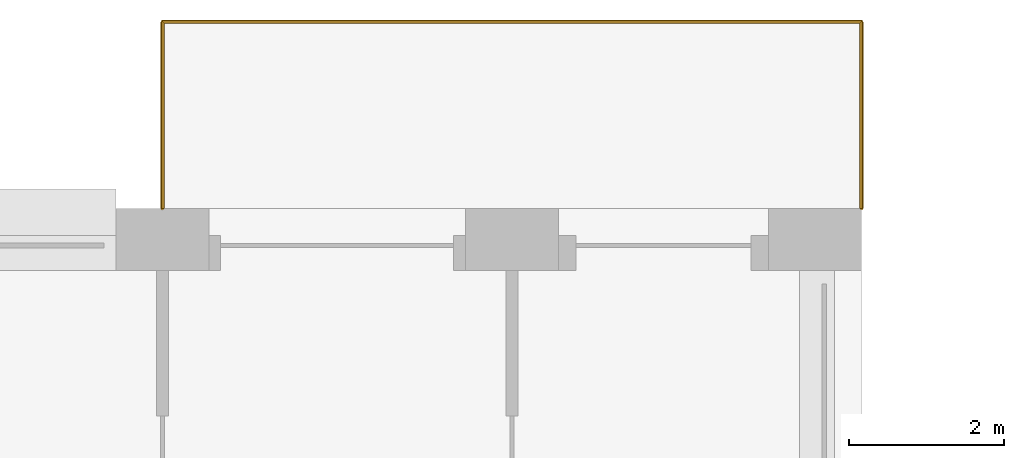
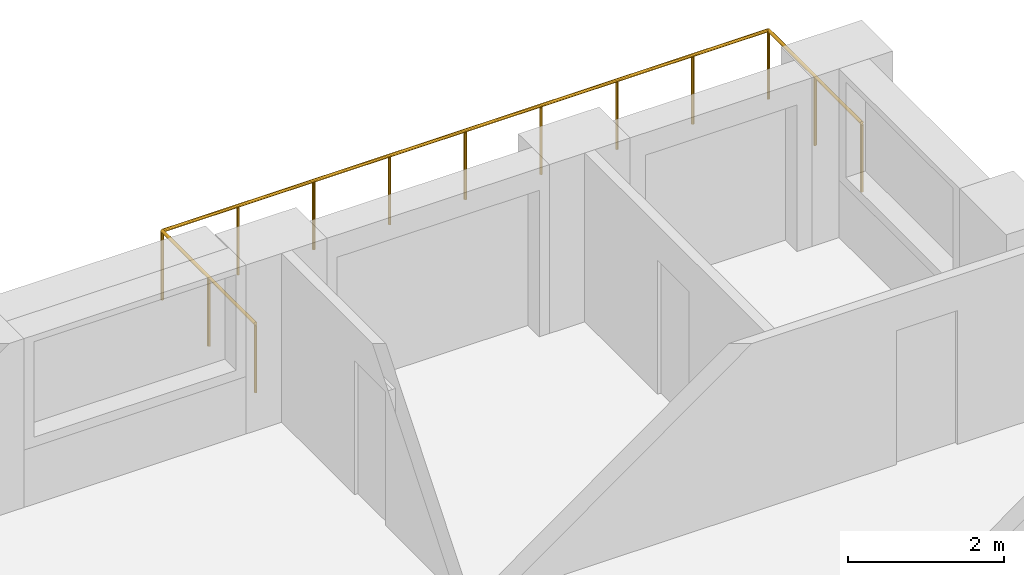
# One storey, part 20 of 20: 1 railing.
"""IFC4 building model written with IfcOpenShell, lengths in metres."""

import ifcopenshell
import ifcopenshell.guid

model = None  # the IFC model being written
_history = None  # IfcOwnerHistory: only IFC2X3 demands one
_inside = {}  # id of a spatial element -> (the spatial element, [elements in it])
_under = {}  # id of a project, library or spatial element -> (it, [spatial elements below it])
_declared = {}  # id of a project -> (the project, [libraries it declares])
_typed = {}  # id of a type object -> (the type object, [elements of that type])
_made_of = {}  # id of a material, layer set ... -> (it, [elements and type objects made of it])


def new_model(schema):
    """Start an empty IFC model of exactly this schema.

    Asked for "IFC4X3", IfcOpenShell would pick the latest addendum, in which some entities
    have other attributes; the version numbers below select the first issue.
    IFC2X3 requires an IfcOwnerHistory on every rooted entity: one is made here for all.
    """
    global model, _history
    if schema == "IFC4X3":
        model = ifcopenshell.file(schema_version=(4, 3, 0, 0))
    else:
        model = ifcopenshell.file(schema=schema)
    _inside.clear()
    _under.clear()
    _declared.clear()
    _typed.clear()
    _made_of.clear()
    _history = None
    if model.schema == "IFC2X3":
        org = make("IfcOrganization", Name="unknown")
        user = make(
            "IfcPersonAndOrganization",
            ThePerson=make("IfcPerson", FamilyName="unknown"),
            TheOrganization=org,
        )
        app = make(
            "IfcApplication",
            ApplicationDeveloper=org,
            Version="unknown",
            ApplicationFullName="unknown",
            ApplicationIdentifier="unknown",
        )
        _history = make(
            "IfcOwnerHistory",
            OwningUser=user,
            OwningApplication=app,
            ChangeAction="ADDED",
            CreationDate=0,
        )
    return model


def make(cls, **values):
    """One entity of the class cls with the attributes given. An attribute that is None is left unset."""
    return model.create_entity(
        cls, **{name: value for name, value in values.items() if value is not None}
    )


def rooted(cls, **values):
    """An entity with a GlobalId (a new one), such as an element, a storey or a relation."""
    return make(cls, GlobalId=ifcopenshell.guid.new(), OwnerHistory=_history, **values)


def si_unit(unit_type, name, prefix=None):
    """IfcSIUnit, for example si_unit("LENGTHUNIT", "METRE", prefix="MILLI")."""
    return make("IfcSIUnit", UnitType=unit_type, Prefix=prefix, Name=name)


def assignment(units):
    """IfcUnitAssignment: the units of a project."""
    return None if units is None else make("IfcUnitAssignment", Units=units)


def point(xyz):
    """IfcCartesianPoint."""
    return None if xyz is None else make("IfcCartesianPoint", Coordinates=xyz)


def direction(xyz):
    """IfcDirection."""
    return None if xyz is None else make("IfcDirection", DirectionRatios=xyz)


def frame(location, z_axis=None, x_axis=None):
    """IfcAxis2Placement3D, a coordinate frame: its origin and axes. An axis left out is left unset."""
    return make(
        "IfcAxis2Placement3D",
        Location=point(location),
        Axis=direction(z_axis),
        RefDirection=direction(x_axis),
    )


def frame_2d(location, x_axis=None):
    """IfcAxis2Placement2D, a coordinate frame in the plane: its origin and x axis."""
    return make(
        "IfcAxis2Placement2D", Location=point(location), RefDirection=direction(x_axis)
    )


def origin():
    """The frame at (0, 0, 0) with its axes left unset."""
    return frame((0.0, 0.0, 0.0))


def origin_2d():
    """The frame at (0, 0) in the plane with its x axis left unset."""
    return frame_2d((0.0, 0.0))


def place(relative_to, where):
    """IfcLocalPlacement: puts the frame where relative to a parent placement (None: the world)."""
    return make(
        "IfcLocalPlacement", PlacementRelTo=relative_to, RelativePlacement=where
    )


def context(
    kind, dimensions, precision=None, world=None, true_north=None, identifier=None
):
    """IfcGeometricRepresentationContext, for example the 3D "Model" context."""
    return make(
        "IfcGeometricRepresentationContext",
        ContextIdentifier=identifier,
        ContextType=kind,
        CoordinateSpaceDimension=dimensions,
        Precision=precision,
        WorldCoordinateSystem=world,
        TrueNorth=true_north,
    )


def subcontext(parent, identifier, kind, view, scale=None):
    """IfcGeometricRepresentationSubContext, for example "Body" below "Model"."""
    return make(
        "IfcGeometricRepresentationSubContext",
        ContextIdentifier=identifier,
        ContextType=kind,
        ParentContext=parent,
        TargetScale=scale,
        TargetView=view,
    )


def project(units=None, contexts=None):
    """IfcProject with its units and contexts."""
    return rooted(
        "IfcProject",
        Name="project",
        RepresentationContexts=contexts,
        UnitsInContext=assignment(units),
    )


def spatial(cls, under=None, at=None, **own):
    """A site, building, storey or space (cls), placed at a placement, below another one or the project."""
    s = rooted(cls, ObjectPlacement=at, **own)
    if under is not None:
        _under.setdefault(under.id(), (under, []))[1].append(s)
    return s


def profile(cls, at=None, kind="AREA", **sizes):
    """A parametric profile (cls). Its sizes go by their IFC names, for example OverallWidth=200.0."""
    return make(cls, ProfileType=kind, Position=at, **sizes)


def circle(**sizes):
    """IfcCircleProfileDef."""
    return profile("IfcCircleProfileDef", **sizes)


def extrude(swept, where, along, depth):
    """IfcExtrudedAreaSolid: the profile swept, set in the frame where, extruded along a direction by depth."""
    return make(
        "IfcExtrudedAreaSolid",
        SweptArea=swept,
        Position=where,
        ExtrudedDirection=direction(along),
        Depth=depth,
    )


def shape(context_of_items, identifier, shape_type, items):
    """IfcShapeRepresentation: the items that make up one representation, for example the "Body"."""
    return make(
        "IfcShapeRepresentation",
        ContextOfItems=context_of_items,
        RepresentationIdentifier=identifier,
        RepresentationType=shape_type,
        Items=items,
    )


def material(Name=None, Category=None):
    """IfcMaterial."""
    return make("IfcMaterial", Name=Name, Category=Category)


def made_of(thing, what):
    """Note that an element or type object is made of a material, layer set ...; save() writes the relation."""
    if what is not None:
        _made_of.setdefault(what.id(), (what, []))[1].append(thing)
    return thing


def type_object(cls, material=None, **own):
    """A type object (cls), such as IfcWallType, which elements share."""
    return made_of(rooted(cls, **own), material)


def element(
    cls,
    number,
    at=None,
    inside=None,
    cuts=None,
    type_object=None,
    material=None,
    context=None,
    identifier="Body",
    shape_type=None,
    held_by="IfcProductDefinitionShape",
    body=None,
    shapes=None,
    **own,
):
    """One element of the class cls, such as IfcWall. Its Tag is "e" and its number.

    at: its placement. inside: the storey or other place that contains it. cuts: it is an
    opening in that element (IfcRelVoidsElement). A single representation is given by context,
    identifier, shape_type and body (its items); several are given by shapes. held_by: the class
    of the entity that holds the representations. save() writes the other relations.
    """
    e = rooted(cls, Tag="e%d" % number, ObjectPlacement=at, **own)
    if body is not None:
        shapes = [shape(context, identifier, shape_type, body)]
    if shapes is not None:
        e.Representation = make(held_by, Representations=shapes)
    if inside is not None:
        _inside.setdefault(inside.id(), (inside, []))[1].append(e)
    if cuts is not None:
        rooted(
            "IfcRelVoidsElement", RelatingBuildingElement=cuts, RelatedOpeningElement=e
        )
    if type_object is not None:
        _typed.setdefault(type_object.id(), (type_object, []))[1].append(e)
    return made_of(e, material)


def aggregate(whole, parts):
    """IfcRelAggregates: a whole, such as a stair, and the parts it consists of."""
    return rooted("IfcRelAggregates", RelatingObject=whole, RelatedObjects=parts)


def save(model, path):
    """Write the relations noted so far, then the file.

    IfcRelAggregates (storeys below a building ...), IfcRelContainedInSpatialStructure (elements
    in a storey), IfcRelDefinesByType, IfcRelAssociatesMaterial and IfcRelDeclares: one each for
    every whole, place, type object, material and project.
    """
    for whole, parts in _under.values():
        aggregate(whole, parts)
    for where, things in _inside.values():
        rooted(
            "IfcRelContainedInSpatialStructure",
            RelatedElements=things,
            RelatingStructure=where,
        )
    for kind, things in _typed.values():
        rooted("IfcRelDefinesByType", RelatedObjects=things, RelatingType=kind)
    for what, things in _made_of.values():
        rooted("IfcRelAssociatesMaterial", RelatedObjects=things, RelatingMaterial=what)
    for by, libraries in _declared.values():
        rooted("IfcRelDeclares", RelatingContext=by, RelatedDefinitions=libraries)
    model.write(path)


model = new_model("IFC4")

# Units and contexts
model_context = context("Model", 3, precision=1e-05, world=origin(), true_north=direction((0.0, 1.0)))
body_context = subcontext(model_context, "Body", "Model", "MODEL_VIEW")
ifc_project = project(units=[si_unit("LENGTHUNIT", "METRE"), si_unit("AREAUNIT", "SQUARE_METRE"), si_unit("VOLUMEUNIT", "CUBIC_METRE"), si_unit("PLANEANGLEUNIT", "RADIAN"), si_unit("MASSUNIT", "GRAM", prefix="KILO")], contexts=[model_context])

# Site, building, storey
site_placement = place(None, origin())
site = spatial("IfcSite", under=ifc_project, at=site_placement, CompositionType="ELEMENT")
building_placement = place(site_placement, origin())
building = spatial("IfcBuilding", under=site, at=building_placement, Name="Brigalow Station Residences", CompositionType="ELEMENT")
storey_placement = place(building_placement, frame((0.0, 0.0, 69.89990234375)))
storey = spatial("IfcBuildingStorey", under=building, at=storey_placement, Name="L20", CompositionType="ELEMENT", Elevation=69.89990234375)

# Railing
ifc_material = material(Name="Stainless steel balustrade with laminated glass infill", Category="steel")
railing_type = type_object("IfcRailingType", Name="BALCONY GUARD 1100", PredefinedType="GUARDRAIL", material=ifc_material)
railing_placement = place(storey_placement, frame((72.0, 48.5, -0.039794921875)))
element("IfcRailing", 1, at=railing_placement, inside=storey, type_object=railing_type, Name="L20/balcony-guard/2", PredefinedType="GUARDRAIL", context=body_context, shape_type="SweptSolid", body=[
    extrude(circle(Radius=0.02392578125, at=origin_2d()), frame((0.0, 0.0, 1.076171875), z_axis=(0.0, 1.0, 0.0), x_axis=(-1.0, 0.0, 0.0)), (0.0, 0.0, 1.0), 2.39990234375),
    extrude(circle(Radius=0.02392578125, at=origin_2d()), frame((0.0, 2.39990234375, 1.076171875), z_axis=(-1.0, 0.0, 0.0), x_axis=(0.0, -1.0, 0.0)), (0.0, 0.0, 1.0), 9.0),
    extrude(circle(Radius=0.02392578125, at=origin_2d()), frame((-9.0, 2.39990234375, 1.076171875), z_axis=(0.0, -1.0, 0.0), x_axis=(1.0, 0.0, 0.0)), (0.0, 0.0, 1.0), 2.39990234375),
    extrude(circle(Radius=0.02099609375, at=origin_2d()), origin(), (0.0, 0.0, 1.0), 1.052001953125),
    extrude(circle(Radius=0.02099609375, at=origin_2d()), frame((0.0, 1.199951171875, 0.0)), (0.0, 0.0, 1.0), 1.052001953125),
    extrude(circle(Radius=0.02099609375, at=origin_2d()), frame((0.0, 2.39990234375, 0.0)), (0.0, 0.0, 1.0), 1.052001953125),
    extrude(circle(Radius=0.02099609375, at=origin_2d()), frame((-1.125, 2.39990234375, 0.0)), (0.0, 0.0, 1.0), 1.052001953125),
    extrude(circle(Radius=0.02099609375, at=origin_2d()), frame((-2.25, 2.39990234375, 0.0)), (0.0, 0.0, 1.0), 1.052001953125),
    extrude(circle(Radius=0.02099609375, at=origin_2d()), frame((-3.375, 2.39990234375, 0.0)), (0.0, 0.0, 1.0), 1.052001953125),
    extrude(circle(Radius=0.02099609375, at=origin_2d()), frame((-4.5, 2.39990234375, 0.0)), (0.0, 0.0, 1.0), 1.052001953125),
    extrude(circle(Radius=0.02099609375, at=origin_2d()), frame((-5.625, 2.39990234375, 0.0)), (0.0, 0.0, 1.0), 1.052001953125),
    extrude(circle(Radius=0.02099609375, at=origin_2d()), frame((-6.75, 2.39990234375, 0.0)), (0.0, 0.0, 1.0), 1.052001953125),
    extrude(circle(Radius=0.02099609375, at=origin_2d()), frame((-7.875, 2.39990234375, 0.0)), (0.0, 0.0, 1.0), 1.052001953125),
    extrude(circle(Radius=0.02099609375, at=origin_2d()), frame((-9.0, 2.39990234375, 0.0)), (0.0, 0.0, 1.0), 1.052001953125),
    extrude(circle(Radius=0.02099609375, at=origin_2d()), frame((-9.0, 1.199951171875, 0.0)), (0.0, 0.0, 1.0), 1.052001953125),
    extrude(circle(Radius=0.02099609375, at=origin_2d()), frame((-9.0, 0.0, 0.0)), (0.0, 0.0, 1.0), 1.052001953125),
])

save(model, "model.ifc")
